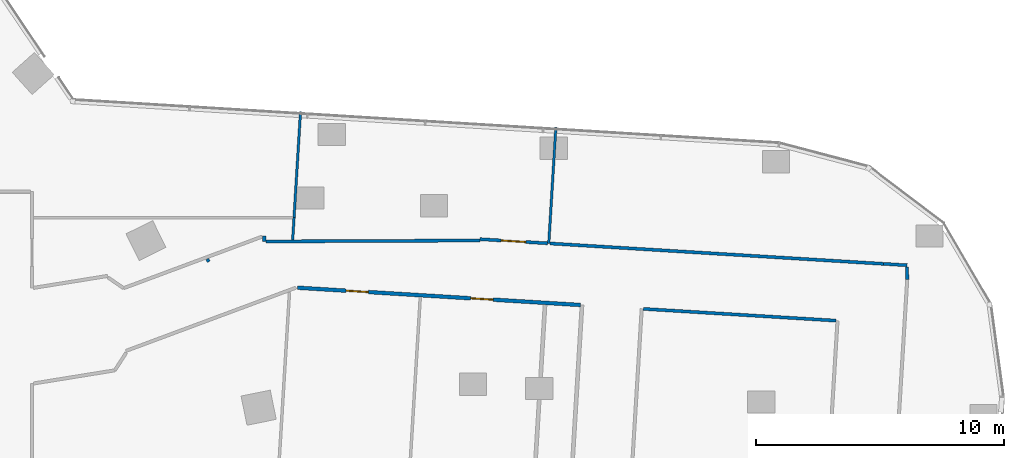
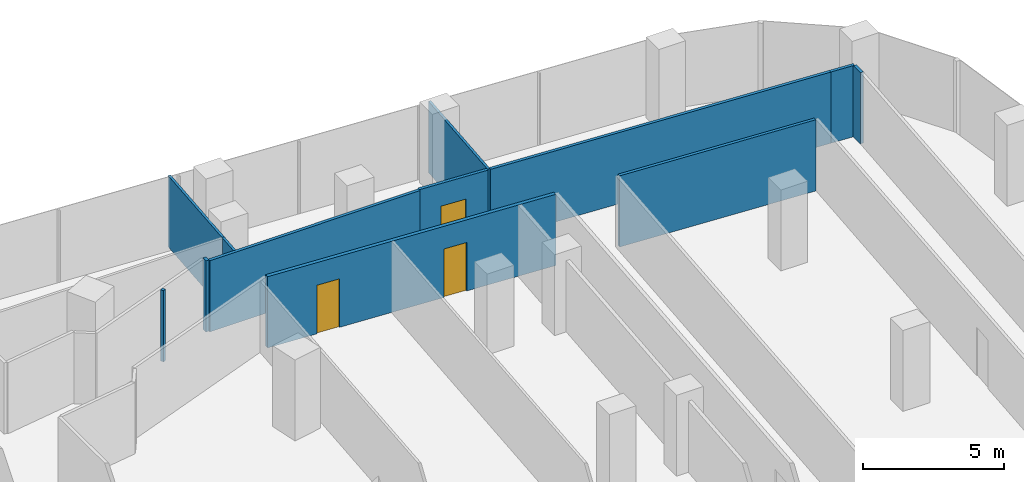
# One storey, part 27 of 32: 12 walls, 3 doors, 3 openings.
"""IFC4 building model written with IfcOpenShell, lengths in metres."""

from ifc_helpers import new_model, si_unit, direction, frame, frame_2d, origin, place, context, subcontext, project, spatial, rectangle, extrude, material, layer, layer_set, type_object, element, fill, save


model = new_model("IFC4")

# Units and contexts
model_context = context("Model", 3, precision=1e-05, world=origin(), true_north=direction((0.0, 1.0)))
body_context = subcontext(model_context, "Body", "Model", "MODEL_VIEW")
ifc_project = project(units=[si_unit("LENGTHUNIT", "METRE"), si_unit("AREAUNIT", "SQUARE_METRE"), si_unit("VOLUMEUNIT", "CUBIC_METRE"), si_unit("PLANEANGLEUNIT", "RADIAN"), si_unit("MASSUNIT", "GRAM", prefix="KILO")], contexts=[model_context])

# Site, building, storey
site_placement = place(None, origin())
site = spatial("IfcSite", under=ifc_project, at=site_placement, CompositionType="ELEMENT")
building_placement = place(site_placement, origin())
building = spatial("IfcBuilding", under=site, at=building_placement, Name="Orlundy Tower", CompositionType="ELEMENT")
storey_placement = place(building_placement, frame((0.0, 0.0, 152.60009765625)))
storey = spatial("IfcBuildingStorey", under=building, at=storey_placement, Name="L39", CompositionType="ELEMENT", Elevation=152.60009765625)

# Walls
ifc_material_1 = material(Name="Gypsum board partition")
ifc_layer_1 = layer(ifc_material_1, 0.10009765625)
ifc_layer_set_1 = layer_set([ifc_layer_1], Name="Floor partition 100")
wall_type_1 = type_object("IfcWallType", Name="Floor partition 100", PredefinedType="PARTITIONING", material=ifc_layer_set_1)
wall_1_placement = place(storey_placement, frame((42.87109375, 12.962890625, 0.0), z_axis=(0.0, 0.0, 1.0), x_axis=(0.0609080718, 0.998143379876, 0.0)))
element("IfcWall", 1, at=wall_1_placement, inside=storey, type_object=wall_type_1, Name="wall-int-L39-088", PredefinedType="PARTITIONING", context=body_context, shape_type="SweptSolid", body=[
    extrude(rectangle(XDim=4.69384765625, YDim=0.10009765625, at=frame_2d((2.346923828125, 0.0))), origin(), (0.0, 0.0, 1.0), 3.079833984375),
])
wall_2_placement = place(storey_placement, frame((32.60791015625, 13.985107421875, 0.0), z_axis=(0.0, 0.0, 1.0), x_axis=(0.060978462691, 0.998139082036, 0.0)))
element("IfcWall", 2, at=wall_2_placement, inside=storey, type_object=wall_type_1, Name="wall-int-L39-092", PredefinedType="PARTITIONING", context=body_context, shape_type="SweptSolid", body=[
    extrude(rectangle(XDim=4.300048828125, YDim=0.10009765625, at=frame_2d((2.14990234375, 0.0))), origin(), (0.0, 0.0, 1.0), 3.079833984375),
])
wall_3_placement = place(storey_placement, frame((32.553955078125, 13.10302734375, 0.0), z_axis=(0.0, 0.0, 1.0), x_axis=(0.061463226288, 0.998109348626, 0.0)))
element("IfcWall", 3, at=wall_3_placement, inside=storey, type_object=wall_type_1, Name="wall-int-L39-093", PredefinedType="PARTITIONING", context=body_context, shape_type="SweptSolid", body=[
    extrude(rectangle(XDim=0.91357421875, YDim=0.10009765625, at=frame_2d((0.456787109375, 0.0))), origin(), (0.0, 0.0, 1.0), 3.079833984375),
])
ifc_material_2 = material(Name="Gypsum board partition, double layer")
ifc_layer_2 = layer(ifc_material_2, 0.125)
ifc_layer_set_2 = layer_set([ifc_layer_2], Name="Floor partition 125")
wall_type_2 = type_object("IfcWallType", Name="Floor partition 125", PredefinedType="PARTITIONING", material=ifc_layer_set_2)
wall_4_placement = place(storey_placement, frame((57.30908203125, 12.01806640625, 0.0), z_axis=(0.0, 0.0, 1.0), x_axis=(0.001937042371, -0.999998123932, 0.0)))
element("IfcWall", 4, at=wall_4_placement, inside=storey, type_object=wall_type_2, Name="wall-int-L39-002", PredefinedType="PARTITIONING", context=body_context, shape_type="SweptSolid", body=[
    extrude(rectangle(XDim=0.504150390625, YDim=0.125, at=frame_2d((0.251953125, 0.0))), origin(), (0.0, 0.0, 1.0), 3.079833984375),
])
wall_5_placement = place(storey_placement, frame((29.112060546875, 12.33203125, 0.0), z_axis=(0.0, 0.0, 1.0), x_axis=(0.515635582666, -0.856807998264, 0.0)))
element("IfcWall", 5, at=wall_5_placement, inside=storey, type_object=wall_type_2, Name="wall-int-L39-008", PredefinedType="PARTITIONING", context=body_context, shape_type="SweptSolid", body=[
    extrude(rectangle(XDim=0.1259765625, YDim=0.125, at=frame_2d((0.06298828125, 0.0))), origin(), (0.0, 0.0, 1.0), 3.079833984375),
])
wall_6_placement = place(storey_placement, frame((46.677001953125, 10.324951171875, 0.0), z_axis=(0.0, 0.0, 1.0), x_axis=(0.998142036778, -0.060930078101, 0.0)))
element("IfcWall", 6, at=wall_6_placement, inside=storey, type_object=wall_type_2, Name="wall-int-L39-042", PredefinedType="PARTITIONING", context=body_context, shape_type="SweptSolid", body=[
    extrude(rectangle(XDim=7.77734375, YDim=0.125, at=frame_2d((3.888671875, 0.0))), origin(), (0.0, 0.0, 1.0), 3.079833984375),
])
wall_7_placement = place(storey_placement, frame((42.9208984375, 12.9599609375, 0.0), z_axis=(0.0, 0.0, 1.0), x_axis=(0.998135679052, -0.061034139647, 0.0)))
element("IfcWall", 7, at=wall_7_placement, inside=storey, type_object=wall_type_2, Name="wall-int-L39-043", PredefinedType="PARTITIONING", context=body_context, shape_type="SweptSolid", body=[
    extrude(rectangle(XDim=13.46826171875, YDim=0.125, at=frame_2d((6.734130859375, 0.0))), origin(), (0.0, 0.0, 1.0), 3.079833984375),
])

# Wall, opening, door
wall_8_placement = place(storey_placement, frame((40.09912109375, 13.133056640625, 0.0), z_axis=(0.0, 0.0, 1.0), x_axis=(0.998123336101, -0.061235658973, 0.0)))
wall_8 = element("IfcWall", 8, at=wall_8_placement, inside=storey, type_object=wall_type_2, Name="wall-int-L39-044", PredefinedType="PARTITIONING", context=body_context, shape_type="SweptSolid", body=[
    extrude(rectangle(XDim=2.72705078125, YDim=0.125, at=frame_2d((1.363525390625, 0.0))), origin(), (0.0, 0.0, 1.0), 3.079833984375),
])
opening_1_placement = place(wall_8_placement, frame((0.85009765625, 0.0, 0.0)))
opening_1 = element("IfcOpeningElement", 9, at=opening_1_placement, cuts=wall_8, Name="Opening 30100", PredefinedType="OPENING", context=body_context, shape_type="SweptSolid", body=[
    extrude(rectangle(XDim=1.0, YDim=2.10009765625, at=frame_2d((0.5, 1.050048828125))), frame((0.0, 0.072509765625, 0.0), z_axis=(0.0, -1.0, 0.0), x_axis=(1.0, 0.0, 0.0)), (0.0, 0.0, 1.0), 0.14501953125),
])
ifc_material_3 = material(Name="Timber door leaf", Category="wood")
door_type_1 = type_object("IfcDoorType", Name="Floor door wide 1000 FD30S", OperationType="NOTDEFINED", PredefinedType="DOOR", material=ifc_material_3)
door_1_placement = place(opening_1_placement, origin())
door_1 = element("IfcDoor", 10, at=door_1_placement, inside=storey, type_object=door_type_1, Name="Door 30100", OperationType="SINGLE_SWING_LEFT", OverallHeight=2.10009765625, OverallWidth=1.0, PredefinedType="DOOR", context=body_context, shape_type="SweptSolid", body=[
    extrude(rectangle(XDim=1.0, YDim=2.10009765625, at=frame_2d((0.5, 1.050048828125))), frame((0.0, 0.02490234375, 0.0), z_axis=(0.0, -1.0, 0.0), x_axis=(1.0, 0.0, 0.0)), (0.0, 0.0, 1.0), 0.050048828125),
])
fill(opening_1, door_1)

# Walls
wall_9_placement = place(storey_placement, frame((56.362060546875, 12.138916015625, 0.0), z_axis=(0.0, 0.0, 1.0), x_axis=(0.998134879302, -0.061047217134, 0.0)))
element("IfcWall", 11, at=wall_9_placement, inside=storey, type_object=wall_type_2, Name="wall-int-L39-045", PredefinedType="PARTITIONING", context=body_context, shape_type="SweptSolid", body=[
    extrude(rectangle(XDim=0.94775390625, YDim=0.125, at=frame_2d((0.473876953125, 0.0))), origin(), (0.0, 0.0, 1.0), 3.079833984375),
])
wall_10_placement = place(storey_placement, frame((31.470947265625, 13.041015625, 0.0), z_axis=(0.0, 0.0, 1.0), x_axis=(0.999990255084, 0.004414718129, 0.0)))
element("IfcWall", 12, at=wall_10_placement, inside=storey, type_object=wall_type_2, Name="wall-int-L39-052", PredefinedType="PARTITIONING", context=body_context, shape_type="SweptSolid", body=[
    extrude(rectangle(XDim=8.626953125, YDim=0.125, at=frame_2d((4.3134765625, 0.0))), origin(), (0.0, 0.0, 1.0), 3.079833984375),
])
wall_11_placement = place(storey_placement, frame((31.408935546875, 13.041015625, 0.0), z_axis=(0.0, 0.0, 1.0), x_axis=(0.0, 1.0, 0.0)))
element("IfcWall", 13, at=wall_11_placement, inside=storey, type_object=wall_type_2, Name="wall-int-L39-095", PredefinedType="PARTITIONING", context=body_context, shape_type="SweptSolid", body=[
    extrude(rectangle(XDim=0.223876953125, YDim=0.125, at=frame_2d((0.11181640625, 0.0))), origin(), (0.0, 0.0, 1.0), 3.079833984375),
])

# Wall, openings, doors
ifc_material_4 = material(Name="Blockwork shaft wall", Category="masonry")
ifc_layer_3 = layer(ifc_material_4, 0.14990234375)
ifc_layer_set_3 = layer_set([ifc_layer_3], Name="Floor shaft wall 150")
wall_type_3 = type_object("IfcWallType", Name="Floor shaft wall 150", PredefinedType="PARTITIONING", material=ifc_layer_set_3)
wall_12_placement = place(storey_placement, frame((44.14501953125, 10.48095703125, 0.0), z_axis=(0.0, 0.0, 1.0), x_axis=(-0.998138667877, 0.06098524157, 0.0)))
wall_12 = element("IfcWall", 14, at=wall_12_placement, inside=storey, type_object=wall_type_3, Name="wall-int-L39-041", PredefinedType="PARTITIONING", context=body_context, shape_type="SweptSolid", body=[
    extrude(rectangle(XDim=11.413330078125, YDim=0.14990234375, at=frame_2d((5.70654296875, 0.0))), origin(), (0.0, 0.0, 1.0), 3.079833984375),
])
opening_2_placement = place(wall_12_placement, frame((8.55810546875, 0.0, 0.0)))
opening_2 = element("IfcOpeningElement", 15, at=opening_2_placement, cuts=wall_12, Name="Opening 30102", PredefinedType="OPENING", context=body_context, shape_type="SweptSolid", body=[
    extrude(rectangle(XDim=0.89990234375, YDim=2.10009765625, at=frame_2d((0.449951171875, 1.050048828125))), frame((0.0, 0.0849609375, 0.0), z_axis=(0.0, -1.0, 0.0), x_axis=(1.0, 0.0, 0.0)), (0.0, 0.0, 1.0), 0.169921875),
])
opening_3_placement = place(wall_12_placement, frame((3.522705078125, 0.0, 0.0)))
opening_3 = element("IfcOpeningElement", 16, at=opening_3_placement, cuts=wall_12, Name="Opening 30103", PredefinedType="OPENING", context=body_context, shape_type="SweptSolid", body=[
    extrude(rectangle(XDim=0.89990234375, YDim=2.10009765625, at=frame_2d((0.449951171875, 1.050048828125))), frame((0.0, 0.0849609375, 0.0), z_axis=(0.0, -1.0, 0.0), x_axis=(1.0, 0.0, 0.0)), (0.0, 0.0, 1.0), 0.169921875),
])
ifc_material_5 = material(Name="Timber door leaf", Category="wood")
door_type_2 = type_object("IfcDoorType", Name="Floor door single 900 FD60", OperationType="NOTDEFINED", PredefinedType="DOOR", material=ifc_material_5)
door_2_placement = place(opening_2_placement, origin())
door_2 = element("IfcDoor", 17, at=door_2_placement, inside=storey, type_object=door_type_2, Name="Door 30102", OperationType="SINGLE_SWING_RIGHT", OverallHeight=2.10009765625, OverallWidth=0.89990234375, PredefinedType="DOOR", context=body_context, shape_type="SweptSolid", body=[
    extrude(rectangle(XDim=0.89990234375, YDim=2.10009765625, at=frame_2d((0.449951171875, 1.050048828125))), frame((0.0, 0.02490234375, 0.0), z_axis=(0.0, -1.0, 0.0), x_axis=(1.0, 0.0, 0.0)), (0.0, 0.0, 1.0), 0.050048828125),
])
fill(opening_2, door_2)
door_3_placement = place(opening_3_placement, origin())
door_3 = element("IfcDoor", 18, at=door_3_placement, inside=storey, type_object=door_type_2, Name="Door 30103", OperationType="SINGLE_SWING_LEFT", OverallHeight=2.10009765625, OverallWidth=0.89990234375, PredefinedType="DOOR", context=body_context, shape_type="SweptSolid", body=[
    extrude(rectangle(XDim=0.89990234375, YDim=2.10009765625, at=frame_2d((0.449951171875, 1.050048828125))), frame((0.0, 0.02490234375, 0.0), z_axis=(0.0, -1.0, 0.0), x_axis=(1.0, 0.0, 0.0)), (0.0, 0.0, 1.0), 0.050048828125),
])
fill(opening_3, door_3)

save(model, "model.ifc")
